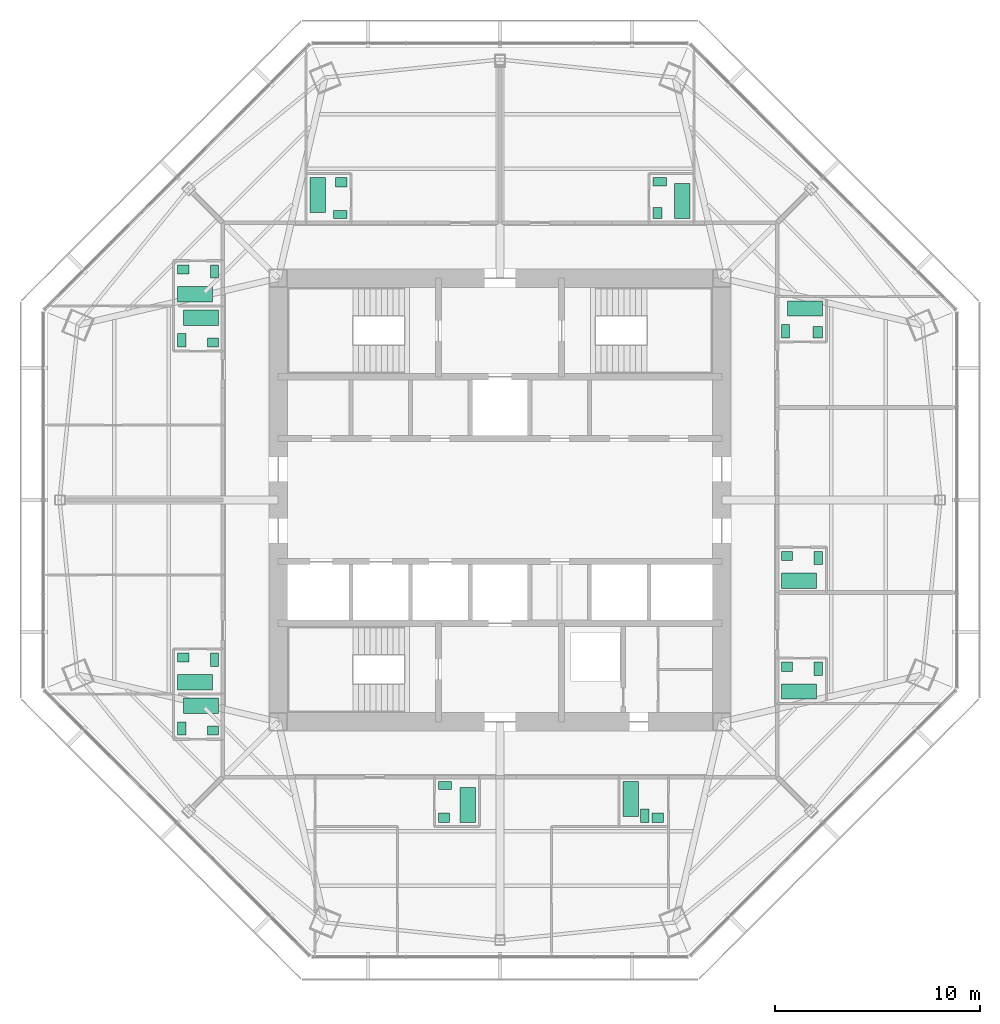
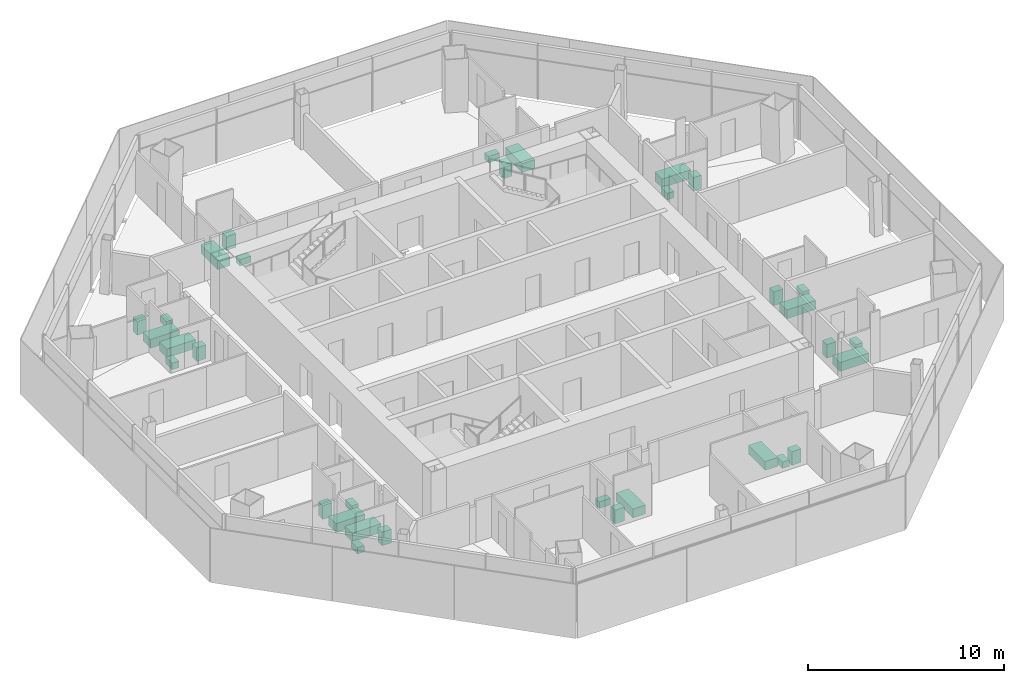
# One storey, part 15 of 15: 33 sanitary terminals.
"""IFC4 building model written with IfcOpenShell, lengths in metres."""

from ifc_helpers import new_model, si_unit, direction, frame, origin, origin_2d, place, context, subcontext, project, spatial, rectangle, extrude, material, type_object, element, save


model = new_model("IFC4")

# Units and contexts
model_context = context("Model", 3, precision=1e-05, world=origin(), true_north=direction((0.0, 1.0)))
body_context = subcontext(model_context, "Body", "Model", "MODEL_VIEW")
ifc_project = project(units=[si_unit("LENGTHUNIT", "METRE"), si_unit("AREAUNIT", "SQUARE_METRE"), si_unit("VOLUMEUNIT", "CUBIC_METRE"), si_unit("PLANEANGLEUNIT", "RADIAN"), si_unit("MASSUNIT", "GRAM", prefix="KILO")], contexts=[model_context])

# Site, building, storey
site_placement = place(None, origin())
site = spatial("IfcSite", under=ifc_project, at=site_placement, CompositionType="ELEMENT")
building_placement = place(site_placement, origin())
building = spatial("IfcBuilding", under=site, at=building_placement, Name="Mashrafa Tower", CompositionType="ELEMENT")
storey_placement = place(building_placement, frame((0.0, 0.0, 204.0)))
storey = spatial("IfcBuildingStorey", under=building, at=storey_placement, Name="L46", CompositionType="ELEMENT", Elevation=204.0)

# Sanitary terminals
ifc_material_1 = material(Name="Enamelled steel", Category="steel")
sanitary_terminal_type_1 = type_object("IfcSanitaryTerminalType", Name="Bath 1700 x 750", PredefinedType="BATH", material=ifc_material_1)
for number, where, z_axis, x_axis, name in (
    (1, (14.550048828125, -9.324951171875, 0.0), (0.0, 0.0, 1.0), (1.0, 0.0, 0.0), "Bath Apartment 4601 Bathroom"),
    (2, (14.550048828125, -3.925048828125, 0.0), (0.0, 0.0, 1.0), (1.0, 0.0, 0.0), "Bath Apartment 4602 Bathroom"),
    (3, (14.85009765625, 9.324951171875, 0.0), (0.0, 0.0, 1.0), (-1.0, 0.0, 0.0), "Bath Apartment 4603 Bathroom"),
    (4, (8.875, 14.550048828125, 0.0), (0.0, 0.0, 1.0), (0.0, 1.0, 0.0), "Bath Apartment 4604 Bathroom"),
    (5, (-8.875, 14.85009765625, 0.0), (0.0, 0.0, 1.0), (0.0, -1.0, 0.0), "Bath Apartment 4605 Bathroom"),
    (6, (-14.85009765625, 10.02490234375, 0.0), (0.0, 0.0, 1.0), (1.0, 0.0, 0.0), "Bath Apartment 4606 En-suite Bathroom"),
    (7, (-14.550048828125, 8.875, 0.0), (0.0, 0.0, 1.0), (-1.0, 0.0, 0.0), "Bath Apartment 4606 Bathroom"),
    (8, (-14.550048828125, -10.02490234375, 0.0), (0.0, 0.0, 1.0), (-1.0, 0.0, 0.0), "Bath Apartment 4607 En-suite Bathroom"),
    (9, (-14.85009765625, -8.875, 0.0), (0.0, 0.0, 1.0), (1.0, 0.0, 0.0), "Bath Apartment 4607 Bathroom"),
    (10, (-1.574951171875, -14.85009765625, 0.0), (0.0, 0.0, 1.0), (0.0, 1.0, 0.0), "Bath Apartment 4608 Bathroom"),
    (11, (6.375, -14.550048828125, 0.0), (0.0, 0.0, 1.0), (0.0, -1.0, 0.0), "Bath Apartment 4608 En-suite Bathroom"),
):
    element("IfcSanitaryTerminal", number, at=place(storey_placement, frame(where, z_axis=z_axis, x_axis=x_axis)), inside=storey, type_object=sanitary_terminal_type_1, Name=name, PredefinedType="BATH", context=body_context, shape_type="SweptSolid", body=[
        extrude(rectangle(XDim=1.699951171875, YDim=0.75, at=origin_2d()), origin(), (0.0, 0.0, 1.0), 0.550048828125),
    ])
ifc_material_2 = material(Name="Vitreous china")
sanitary_terminal_type_2 = type_object("IfcSanitaryTerminalType", Name="Toilet pan 400 x 650", PredefinedType="TOILETPAN", material=ifc_material_2)
for number, where, z_axis, x_axis, name in (
    (12, (15.5, -8.22509765625, 0.0), (0.0, 0.0, 1.0), (-1.0, 0.0, 0.0), "Toilet pan Apartment 4601 Bathroom"),
    (13, (15.5, -2.824951171875, 0.0), (0.0, 0.0, 1.0), (-1.0, 0.0, 0.0), "Toilet pan Apartment 4602 Bathroom"),
    (14, (13.89990234375, 8.22509765625, 0.0), (0.0, 0.0, 1.0), (1.0, 0.0, 0.0), "Toilet pan Apartment 4603 Bathroom"),
    (15, (7.77490234375, 15.5, 0.0), (0.0, 0.0, 1.0), (0.0, -1.0, 0.0), "Toilet pan Apartment 4604 Bathroom"),
    (16, (-7.77490234375, 13.89990234375, 0.0), (0.0, 0.0, 1.0), (0.0, 1.0, 0.0), "Toilet pan Apartment 4605 Bathroom"),
    (17, (-13.89990234375, 11.125, 0.0), (0.0, 0.0, 1.0), (-1.0, 0.0, 0.0), "Toilet pan Apartment 4606 En-suite Bathroom"),
    (18, (-15.5, 7.77490234375, 0.0), (0.0, 0.0, 1.0), (1.0, 0.0, 0.0), "Toilet pan Apartment 4606 Bathroom"),
    (19, (-15.5, -11.125, 0.0), (0.0, 0.0, 1.0), (1.0, 0.0, 0.0), "Toilet pan Apartment 4607 En-suite Bathroom"),
    (20, (-13.89990234375, -7.77490234375, 0.0), (0.0, 0.0, 1.0), (-1.0, 0.0, 0.0), "Toilet pan Apartment 4607 Bathroom"),
    (21, (-2.675048828125, -13.89990234375, 0.0), (0.0, 0.0, 1.0), (0.0, -1.0, 0.0), "Toilet pan Apartment 4608 Bathroom"),
    (22, (7.050048828125, -15.375, 0.0), (0.0, 0.0, 1.0), (1.0, 0.0, 0.0), "Toilet pan Apartment 4608 En-suite Bathroom"),
):
    element("IfcSanitaryTerminal", number, at=place(storey_placement, frame(where, z_axis=z_axis, x_axis=x_axis)), inside=storey, type_object=sanitary_terminal_type_2, Name=name, PredefinedType="TOILETPAN", context=body_context, shape_type="SweptSolid", body=[
        extrude(rectangle(XDim=0.39990234375, YDim=0.64990234375, at=origin_2d()), origin(), (0.0, 0.0, 1.0), 0.39990234375),
    ])
ifc_material_3 = material(Name="Vitreous china")
sanitary_terminal_type_3 = type_object("IfcSanitaryTerminalType", Name="Wash basin 550 x 450", PredefinedType="WASHHANDBASIN", material=ifc_material_3)
for number, where, z_axis, x_axis, name in (
    (23, (13.97509765625, -8.125, 0.0), (0.0, 0.0, 1.0), (-1.0, 0.0, 0.0), "Wash basin Apartment 4601 Bathroom"),
    (24, (13.97509765625, -2.72509765625, 0.0), (0.0, 0.0, 1.0), (-1.0, 0.0, 0.0), "Wash basin Apartment 4602 Bathroom"),
    (25, (15.47509765625, 8.175048828125, 0.0), (0.0, 0.0, 1.0), (0.0, 1.0, 0.0), "Wash basin Apartment 4603 Bathroom"),
    (26, (7.675048828125, 13.97509765625, 0.0), (0.0, 0.0, 1.0), (0.0, -1.0, 0.0), "Wash basin Apartment 4604 Bathroom"),
    (27, (-7.72509765625, 15.47509765625, 0.0), (0.0, 0.0, 1.0), (-1.0, 0.0, 0.0), "Wash basin Apartment 4605 Bathroom"),
    (28, (-15.425048828125, 11.22509765625, 0.0), (0.0, 0.0, 1.0), (-1.0, 0.0, 0.0), "Wash basin Apartment 4606 En-suite Bathroom"),
    (29, (-13.97509765625, 7.675048828125, 0.0), (0.0, 0.0, 1.0), (1.0, 0.0, 0.0), "Wash basin Apartment 4606 Bathroom"),
    (30, (-13.97509765625, -11.22509765625, 0.0), (0.0, 0.0, 1.0), (1.0, 0.0, 0.0), "Wash basin Apartment 4607 En-suite Bathroom"),
    (31, (-15.425048828125, -7.675048828125, 0.0), (0.0, 0.0, 1.0), (-1.0, 0.0, 0.0), "Wash basin Apartment 4607 Bathroom"),
    (32, (-2.72509765625, -15.47509765625, 0.0), (0.0, 0.0, 1.0), (1.0, 0.0, 0.0), "Wash basin Apartment 4608 Bathroom"),
    (33, (7.675048828125, -15.47509765625, 0.0), (0.0, 0.0, 1.0), (1.0, 0.0, 0.0), "Wash basin Apartment 4608 En-suite Bathroom"),
):
    element("IfcSanitaryTerminal", number, at=place(storey_placement, frame(where, z_axis=z_axis, x_axis=x_axis)), inside=storey, type_object=sanitary_terminal_type_3, Name=name, PredefinedType="WASHHANDBASIN", context=body_context, shape_type="SweptSolid", body=[
        extrude(rectangle(XDim=0.550048828125, YDim=0.449951171875, at=origin_2d()), origin(), (0.0, 0.0, 1.0), 0.85009765625),
    ])

save(model, "model.ifc")
